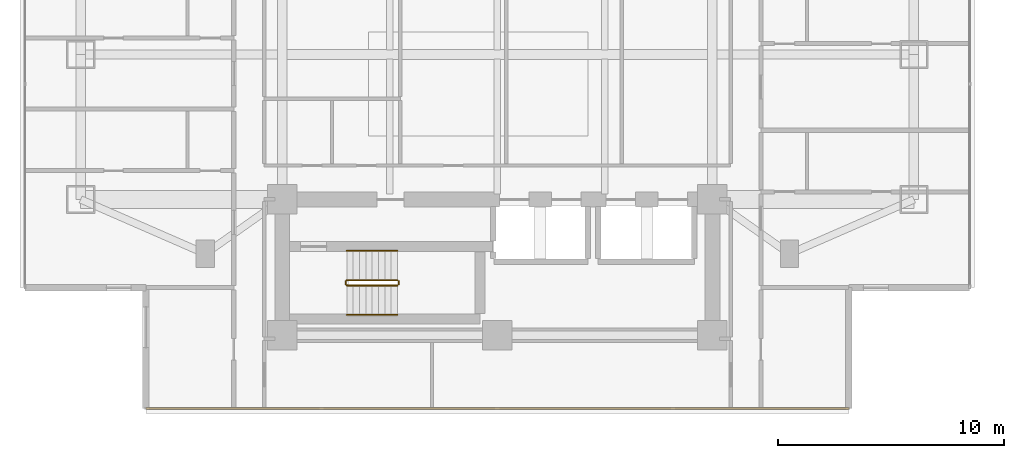
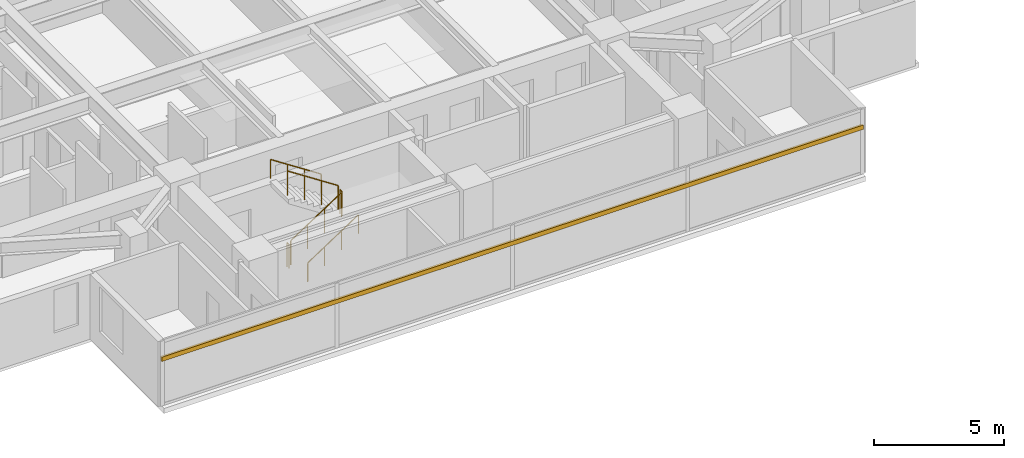
# One storey, part 21 of 27: 6 railings, 1 shading device.
"""IFC4 building model written with IfcOpenShell, lengths in metres."""

from ifc_helpers import new_model, si_unit, direction, frame, origin, origin_2d, place, context, subcontext, project, spatial, rectangle, circle, extrude, material, material_profile, profile_set, type_object, element, save


model = new_model("IFC4")

# Units and contexts
model_context = context("Model", 3, precision=1e-05, world=origin(), true_north=direction((0.0, 1.0)))
body_context = subcontext(model_context, "Body", "Model", "MODEL_VIEW")
ifc_project = project(units=[si_unit("LENGTHUNIT", "METRE"), si_unit("AREAUNIT", "SQUARE_METRE"), si_unit("VOLUMEUNIT", "CUBIC_METRE"), si_unit("PLANEANGLEUNIT", "RADIAN"), si_unit("MASSUNIT", "GRAM", prefix="KILO")], contexts=[model_context])

# Site, building, storey
site_placement = place(None, origin())
site = spatial("IfcSite", under=ifc_project, at=site_placement, CompositionType="ELEMENT")
building_placement = place(site_placement, origin())
building = spatial("IfcBuilding", under=site, at=building_placement, Name="Mirazonda Arch Towers", CompositionType="ELEMENT")
storey_placement = place(building_placement, frame((0.0, 0.0, 55.39990234375)))
storey = spatial("IfcBuildingStorey", under=building, at=storey_placement, Name="L15", CompositionType="ELEMENT", Elevation=55.39990234375)

# Shading device
ifc_material_1 = material(Name="Kiln-Fired Architectural Terracotta", Category="masonry")
ifc_material_profile = material_profile(ifc_material_1, rectangle(XDim=0.10009765625, YDim=0.199951171875, at=origin_2d()), Name="TERRA-BAG-100x200")
ifc_profile_set = profile_set([ifc_material_profile], Name="Kiln-Fired Architectural Terracotta")
shading_device_type = type_object("IfcShadingDeviceType", Name="BAGUETTE-2", PredefinedType="USERDEFINED", material=ifc_profile_set)
shading_device_placement = place(storey_placement, frame((36.02001953125, 9.162109375, 2.18896484375), z_axis=(-1.0, 0.0, 0.0), x_axis=(0.0, -1.0, 0.0)))
element("IfcShadingDevice", 1, at=shading_device_placement, inside=storey, type_object=shading_device_type, Name="L15 Glazed Terracotta Sun-Screen Baguette CW-L15-T1-S", ObjectType="BAGUETTE", PredefinedType="USERDEFINED", context=body_context, shape_type="SweptSolid", body=[
    extrude(rectangle(XDim=0.10009765625, YDim=0.199951171875, at=origin_2d()), origin(), (0.0, 0.0, 1.0), 31.0400390625),
])

# Railings
ifc_material_2 = material(Name="Architectural Brushed Steel S355", Category="steel")
railing_type_1 = type_object("IfcRailingType", Name="GUARD-STAIR-1120", PredefinedType="GUARDRAIL", material=ifc_material_2)
railing_1_placement = place(storey_placement, frame((13.85009765625, 14.60009765625, 0.183349609375)))
element("IfcRailing", 2, at=railing_1_placement, inside=storey, type_object=railing_type_1, Name="L15 ST-T1S stair guard 1", PredefinedType="GUARDRAIL", context=body_context, shape_type="SweptSolid", body=[
    extrude(circle(Radius=0.02392578125, at=origin_2d()), frame((0.0, 0.0, 1.1259765625), z_axis=(0.836595146698, 0.0, 0.547821650285), x_axis=(0.0, 1.0, 0.0)), (0.0, 0.0, 1.0), 2.677490234375),
    extrude(circle(Radius=0.02099609375, at=origin_2d()), origin(), (0.0, 0.0, 1.0), 1.101806640625),
    extrude(circle(Radius=0.02099609375, at=origin_2d()), frame((0.74658203125, 0.0, 0.489013671875)), (0.0, 0.0, 1.0), 1.101806640625),
    extrude(circle(Radius=0.02099609375, at=origin_2d()), frame((1.493408203125, 0.0, 0.977783203125)), (0.0, 0.0, 1.0), 1.101806640625),
    extrude(circle(Radius=0.02099609375, at=origin_2d()), frame((2.239990234375, 0.0, 1.466796875)), (0.0, 0.0, 1.0), 1.101806640625),
])
railing_2_placement = place(storey_placement, frame((16.139892578125, 14.64990234375, 1.650146484375)))
element("IfcRailing", 3, at=railing_2_placement, inside=storey, type_object=railing_type_1, Name="L15 ST-T1S stair guard 2", PredefinedType="GUARDRAIL", context=body_context, shape_type="SweptSolid", body=[
    extrude(circle(Radius=0.02392578125, at=origin_2d()), frame((0.0, 0.0, 1.1259765625), z_axis=(0.0, 1.0, 0.0), x_axis=(-1.0, 0.0, 0.0)), (0.0, 0.0, 1.0), 0.14013671875),
    extrude(circle(Radius=0.02099609375, at=origin_2d()), origin(), (0.0, 0.0, 1.0), 1.101806640625),
    extrude(circle(Radius=0.02099609375, at=origin_2d()), frame((0.0, 0.14013671875, 0.0)), (0.0, 0.0, 1.0), 1.101806640625),
])
railing_3_placement = place(storey_placement, frame((16.090087890625, 14.840087890625, 1.83349609375)))
element("IfcRailing", 4, at=railing_3_placement, inside=storey, type_object=railing_type_1, Name="L15 ST-T1S stair guard 3", PredefinedType="GUARDRAIL", context=body_context, shape_type="SweptSolid", body=[
    extrude(circle(Radius=0.02392578125, at=origin_2d()), frame((0.0, 0.0, 1.1259765625), z_axis=(-0.836636935527, 0.0, 0.547757827979), x_axis=(0.0, -1.0, 0.0)), (0.0, 0.0, 1.0), 2.677490234375),
    extrude(circle(Radius=0.02099609375, at=origin_2d()), origin(), (0.0, 0.0, 1.0), 1.101806640625),
    extrude(circle(Radius=0.02099609375, at=origin_2d()), frame((-0.74658203125, 0.0, 0.48876953125)), (0.0, 0.0, 1.0), 1.101806640625),
    extrude(circle(Radius=0.02099609375, at=origin_2d()), frame((-1.493408203125, 0.0, 0.977783203125)), (0.0, 0.0, 1.0), 1.101806640625),
    extrude(circle(Radius=0.02099609375, at=origin_2d()), frame((-2.239990234375, 0.0, 1.466552734375)), (0.0, 0.0, 1.0), 1.101806640625),
])
railing_4_placement = place(storey_placement, frame((13.800048828125, 14.64990234375, 0.0)))
element("IfcRailing", 5, at=railing_4_placement, inside=storey, type_object=railing_type_1, Name="L15 ST-T1S stair guard 4", PredefinedType="GUARDRAIL", context=body_context, shape_type="SweptSolid", body=[
    extrude(circle(Radius=0.02392578125, at=origin_2d()), frame((0.0, 0.0, 1.1259765625), z_axis=(0.0, 1.0, 0.0), x_axis=(-1.0, 0.0, 0.0)), (0.0, 0.0, 1.0), 0.14013671875),
    extrude(circle(Radius=0.02099609375, at=origin_2d()), origin(), (0.0, 0.0, 1.0), 1.101806640625),
    extrude(circle(Radius=0.02099609375, at=origin_2d()), frame((0.0, 0.14013671875, 0.0)), (0.0, 0.0, 1.0), 1.101806640625),
])
railing_type_2 = type_object("IfcRailingType", Name="HANDRAIL-915", PredefinedType="HANDRAIL", material=ifc_material_2)
railing_5_placement = place(storey_placement, frame((13.85009765625, 13.300048828125, 0.183349609375)))
element("IfcRailing", 6, at=railing_5_placement, inside=storey, type_object=railing_type_2, Name="L15 ST-T1S stair handrail 1", PredefinedType="HANDRAIL", context=body_context, shape_type="SweptSolid", body=[
    extrude(circle(Radius=0.02392578125, at=origin_2d()), frame((0.0, 0.0, 0.8759765625), z_axis=(0.836595146698, 0.0, 0.547821650285), x_axis=(0.0, 1.0, 0.0)), (0.0, 0.0, 1.0), 2.677490234375),
    extrude(circle(Radius=0.02099609375, at=origin_2d()), origin(), (0.0, 0.0, 1.0), 0.851806640625),
    extrude(circle(Radius=0.02099609375, at=origin_2d()), frame((0.74658203125, 0.0, 0.489013671875)), (0.0, 0.0, 1.0), 0.851806640625),
    extrude(circle(Radius=0.02099609375, at=origin_2d()), frame((1.493408203125, 0.0, 0.977783203125)), (0.0, 0.0, 1.0), 0.851806640625),
    extrude(circle(Radius=0.02099609375, at=origin_2d()), frame((2.239990234375, 0.0, 1.466796875)), (0.0, 0.0, 1.0), 0.851806640625),
])
railing_6_placement = place(storey_placement, frame((16.090087890625, 16.139892578125, 1.83349609375)))
element("IfcRailing", 7, at=railing_6_placement, inside=storey, type_object=railing_type_2, Name="L15 ST-T1S stair handrail 2", PredefinedType="HANDRAIL", context=body_context, shape_type="SweptSolid", body=[
    extrude(circle(Radius=0.02392578125, at=origin_2d()), frame((0.0, 0.0, 0.8759765625), z_axis=(-0.836636935527, 0.0, 0.547757827979), x_axis=(0.0, -1.0, 0.0)), (0.0, 0.0, 1.0), 2.677490234375),
    extrude(circle(Radius=0.02099609375, at=origin_2d()), origin(), (0.0, 0.0, 1.0), 0.851806640625),
    extrude(circle(Radius=0.02099609375, at=origin_2d()), frame((-0.74658203125, 0.0, 0.48876953125)), (0.0, 0.0, 1.0), 0.851806640625),
    extrude(circle(Radius=0.02099609375, at=origin_2d()), frame((-1.493408203125, 0.0, 0.977783203125)), (0.0, 0.0, 1.0), 0.851806640625),
    extrude(circle(Radius=0.02099609375, at=origin_2d()), frame((-2.239990234375, 0.0, 1.466552734375)), (0.0, 0.0, 1.0), 0.851806640625),
])

save(model, "model.ifc")
